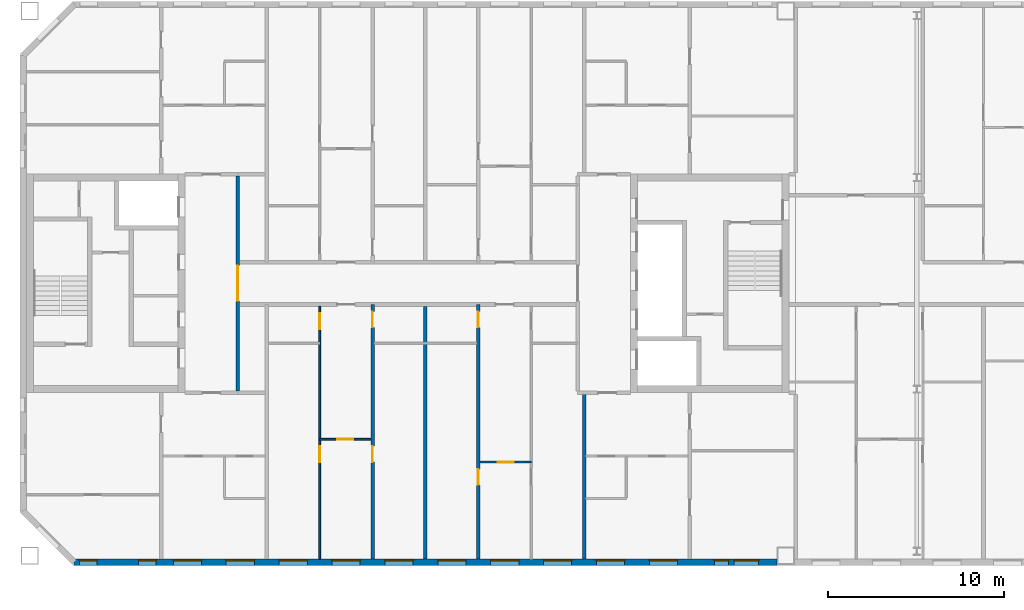
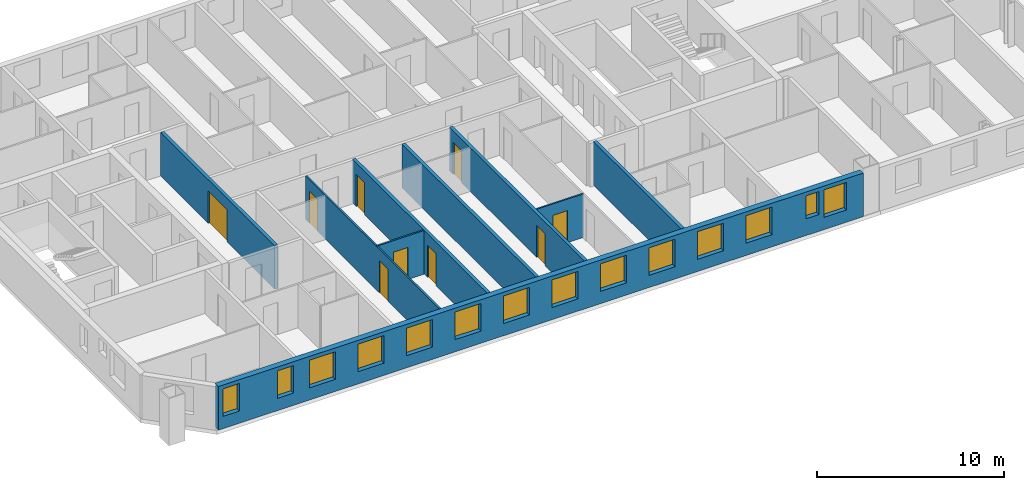
# One storey, part 5 of 19: 14 windows, 9 doors, 9 walls, 23 openings.
"""IFC4 building model written with IfcOpenShell, lengths in metres."""

from ifc_helpers import new_model, si_unit, direction, frame, frame_2d, origin, place, context, subcontext, project, spatial, rectangle, extrude, material, layer, layer_set, type_object, element, fill, save


model = new_model("IFC4")

# Units and contexts
model_context = context("Model", 3, precision=1e-05, world=origin(), true_north=direction((0.0, 1.0)))
body_context = subcontext(model_context, "Body", "Model", "MODEL_VIEW")
ifc_project = project(units=[si_unit("LENGTHUNIT", "METRE"), si_unit("AREAUNIT", "SQUARE_METRE"), si_unit("VOLUMEUNIT", "CUBIC_METRE"), si_unit("PLANEANGLEUNIT", "RADIAN"), si_unit("MASSUNIT", "GRAM", prefix="KILO")], contexts=[model_context])

# Site, building, storey
site_placement = place(None, origin())
site = spatial("IfcSite", under=ifc_project, at=site_placement, CompositionType="ELEMENT")
building_placement = place(site_placement, origin())
building = spatial("IfcBuilding", under=site, at=building_placement, Name="Tuart Gate Housing", CompositionType="ELEMENT")
storey_placement = place(building_placement, frame((0.0, 0.0, 209.0)))
storey = spatial("IfcBuildingStorey", under=building, at=storey_placement, Name="L59", CompositionType="ELEMENT", Elevation=209.0)

# Wall, openings, windows
ifc_material_1 = material(Name="Brick", Category="masonry")
ifc_layer_1 = layer(ifc_material_1, 0.360107421875)
ifc_layer_set_1 = layer_set([ifc_layer_1], Name="Brick pier and spandrel wall 360")
wall_type_1 = type_object("IfcWallType", Name="Brick pier and spandrel wall 360", PredefinedType="STANDARD", material=ifc_layer_set_1)
wall_1_placement = place(storey_placement, frame((35.07470703125, 54.179931640625, 0.0), z_axis=(0.0, 0.0, 1.0), x_axis=(1.0, 0.0, 0.0)))
wall_1 = element("IfcWall", 1, at=wall_1_placement, inside=storey, type_object=wall_type_1, Name="External wall BLK-S L59", PredefinedType="STANDARD", context=body_context, shape_type="SweptSolid", body=[
    extrude(rectangle(XDim=39.875244140625, YDim=0.360107421875, at=frame_2d((19.9375, 0.0))), origin(), (0.0, 0.0, 1.0), 2.85009765625),
])
opening_1_placement = place(wall_1_placement, frame((0.300048828125, 0.0, 0.800048828125)))
opening_1 = element("IfcOpeningElement", 2, at=opening_1_placement, cuts=wall_1, Name="Opening W1C", PredefinedType="OPENING", context=body_context, shape_type="SweptSolid", body=[
    extrude(rectangle(XDim=1.0, YDim=1.800048828125, at=frame_2d((0.5, 0.89990234375))), frame((0.0, 0.18994140625, 0.0), z_axis=(0.0, -1.0, 0.0), x_axis=(1.0, 0.0, 0.0)), (0.0, 0.0, 1.0), 0.380126953125),
])
opening_2_placement = place(wall_1_placement, frame((5.62548828125, 0.0, 0.800048828125)))
opening_2 = element("IfcOpeningElement", 3, at=opening_2_placement, cuts=wall_1, Name="Opening W1", PredefinedType="OPENING", context=body_context, shape_type="SweptSolid", body=[
    extrude(rectangle(XDim=1.60009765625, YDim=1.800048828125, at=frame_2d((0.800048828125, 0.89990234375))), frame((0.0, 0.18994140625, 0.0), z_axis=(0.0, -1.0, 0.0), x_axis=(1.0, 0.0, 0.0)), (0.0, 0.0, 1.0), 0.380126953125),
])
opening_3_placement = place(wall_1_placement, frame((8.62548828125, 0.0, 0.800048828125)))
opening_3 = element("IfcOpeningElement", 4, at=opening_3_placement, cuts=wall_1, Name="Opening W1", PredefinedType="OPENING", context=body_context, shape_type="SweptSolid", body=[
    extrude(rectangle(XDim=1.60009765625, YDim=1.800048828125, at=frame_2d((0.800048828125, 0.89990234375))), frame((0.0, 0.18994140625, 0.0), z_axis=(0.0, -1.0, 0.0), x_axis=(1.0, 0.0, 0.0)), (0.0, 0.0, 1.0), 0.380126953125),
])
opening_4_placement = place(wall_1_placement, frame((11.62548828125, 0.0, 0.800048828125)))
opening_4 = element("IfcOpeningElement", 5, at=opening_4_placement, cuts=wall_1, Name="Opening W1", PredefinedType="OPENING", context=body_context, shape_type="SweptSolid", body=[
    extrude(rectangle(XDim=1.60009765625, YDim=1.800048828125, at=frame_2d((0.800048828125, 0.89990234375))), frame((0.0, 0.18994140625, 0.0), z_axis=(0.0, -1.0, 0.0), x_axis=(1.0, 0.0, 0.0)), (0.0, 0.0, 1.0), 0.380126953125),
])
opening_5_placement = place(wall_1_placement, frame((14.62548828125, 0.0, 0.800048828125)))
opening_5 = element("IfcOpeningElement", 6, at=opening_5_placement, cuts=wall_1, Name="Opening W1", PredefinedType="OPENING", context=body_context, shape_type="SweptSolid", body=[
    extrude(rectangle(XDim=1.60009765625, YDim=1.800048828125, at=frame_2d((0.800048828125, 0.89990234375))), frame((0.0, 0.18994140625, 0.0), z_axis=(0.0, -1.0, 0.0), x_axis=(1.0, 0.0, 0.0)), (0.0, 0.0, 1.0), 0.380126953125),
])
opening_6_placement = place(wall_1_placement, frame((17.62548828125, 0.0, 0.800048828125)))
opening_6 = element("IfcOpeningElement", 7, at=opening_6_placement, cuts=wall_1, Name="Opening W1", PredefinedType="OPENING", context=body_context, shape_type="SweptSolid", body=[
    extrude(rectangle(XDim=1.60009765625, YDim=1.800048828125, at=frame_2d((0.800048828125, 0.89990234375))), frame((0.0, 0.18994140625, 0.0), z_axis=(0.0, -1.0, 0.0), x_axis=(1.0, 0.0, 0.0)), (0.0, 0.0, 1.0), 0.380126953125),
])
opening_7_placement = place(wall_1_placement, frame((20.62548828125, 0.0, 0.800048828125)))
opening_7 = element("IfcOpeningElement", 8, at=opening_7_placement, cuts=wall_1, Name="Opening W1", PredefinedType="OPENING", context=body_context, shape_type="SweptSolid", body=[
    extrude(rectangle(XDim=1.60009765625, YDim=1.800048828125, at=frame_2d((0.800048828125, 0.89990234375))), frame((0.0, 0.18994140625, 0.0), z_axis=(0.0, -1.0, 0.0), x_axis=(1.0, 0.0, 0.0)), (0.0, 0.0, 1.0), 0.380126953125),
])
opening_8_placement = place(wall_1_placement, frame((23.62548828125, 0.0, 0.800048828125)))
opening_8 = element("IfcOpeningElement", 9, at=opening_8_placement, cuts=wall_1, Name="Opening W1", PredefinedType="OPENING", context=body_context, shape_type="SweptSolid", body=[
    extrude(rectangle(XDim=1.60009765625, YDim=1.800048828125, at=frame_2d((0.800048828125, 0.89990234375))), frame((0.0, 0.18994140625, 0.0), z_axis=(0.0, -1.0, 0.0), x_axis=(1.0, 0.0, 0.0)), (0.0, 0.0, 1.0), 0.380126953125),
])
opening_9_placement = place(wall_1_placement, frame((26.62548828125, 0.0, 0.800048828125)))
opening_9 = element("IfcOpeningElement", 10, at=opening_9_placement, cuts=wall_1, Name="Opening W1", PredefinedType="OPENING", context=body_context, shape_type="SweptSolid", body=[
    extrude(rectangle(XDim=1.60009765625, YDim=1.800048828125, at=frame_2d((0.800048828125, 0.89990234375))), frame((0.0, 0.18994140625, 0.0), z_axis=(0.0, -1.0, 0.0), x_axis=(1.0, 0.0, 0.0)), (0.0, 0.0, 1.0), 0.380126953125),
])
opening_10_placement = place(wall_1_placement, frame((29.62548828125, 0.0, 0.800048828125)))
opening_10 = element("IfcOpeningElement", 11, at=opening_10_placement, cuts=wall_1, Name="Opening W1", PredefinedType="OPENING", context=body_context, shape_type="SweptSolid", body=[
    extrude(rectangle(XDim=1.60009765625, YDim=1.800048828125, at=frame_2d((0.800048828125, 0.89990234375))), frame((0.0, 0.18994140625, 0.0), z_axis=(0.0, -1.0, 0.0), x_axis=(1.0, 0.0, 0.0)), (0.0, 0.0, 1.0), 0.380126953125),
])
opening_11_placement = place(wall_1_placement, frame((32.62548828125, 0.0, 0.800048828125)))
opening_11 = element("IfcOpeningElement", 12, at=opening_11_placement, cuts=wall_1, Name="Opening W1", PredefinedType="OPENING", context=body_context, shape_type="SweptSolid", body=[
    extrude(rectangle(XDim=1.60009765625, YDim=1.800048828125, at=frame_2d((0.800048828125, 0.89990234375))), frame((0.0, 0.18994140625, 0.0), z_axis=(0.0, -1.0, 0.0), x_axis=(1.0, 0.0, 0.0)), (0.0, 0.0, 1.0), 0.380126953125),
])
opening_12_placement = place(wall_1_placement, frame((36.325439453125, 0.0, 1.10009765625)))
opening_12 = element("IfcOpeningElement", 13, at=opening_12_placement, cuts=wall_1, Name="Opening W1J", PredefinedType="OPENING", context=body_context, shape_type="SweptSolid", body=[
    extrude(rectangle(XDim=0.800048828125, YDim=1.5, at=frame_2d((0.39990234375, 0.75))), frame((0.0, 0.18994140625, 0.0), z_axis=(0.0, -1.0, 0.0), x_axis=(1.0, 0.0, 0.0)), (0.0, 0.0, 1.0), 0.380126953125),
])
opening_13_placement = place(wall_1_placement, frame((3.64990234375, 0.0, 0.800048828125)))
opening_13 = element("IfcOpeningElement", 14, at=opening_13_placement, cuts=wall_1, Name="Opening W1C", PredefinedType="OPENING", context=body_context, shape_type="SweptSolid", body=[
    extrude(rectangle(XDim=1.0, YDim=1.800048828125, at=frame_2d((0.5, 0.89990234375))), frame((0.0, 0.18994140625, 0.0), z_axis=(0.0, -1.0, 0.0), x_axis=(1.0, 0.0, 0.0)), (0.0, 0.0, 1.0), 0.380126953125),
])
opening_14_placement = place(wall_1_placement, frame((37.42529296875, 0.0, 0.800048828125)))
opening_14 = element("IfcOpeningElement", 15, at=opening_14_placement, cuts=wall_1, Name="Opening W1A", PredefinedType="OPENING", context=body_context, shape_type="SweptSolid", body=[
    extrude(rectangle(XDim=1.39990234375, YDim=1.800048828125, at=frame_2d((0.699951171875, 0.89990234375))), frame((0.0, 0.18994140625, 0.0), z_axis=(0.0, -1.0, 0.0), x_axis=(1.0, 0.0, 0.0)), (0.0, 0.0, 1.0), 0.380126953125),
])
ifc_material_2 = material(Name="Aluminium frame with clear glass", Category="aluminium")
window_type_1 = type_object("IfcWindowType", Name="Punched window 1000 x 1800", PartitioningType="SINGLE_PANEL", PredefinedType="WINDOW", material=ifc_material_2)
window_1_placement = place(opening_1_placement, origin())
window_1 = element("IfcWindow", 16, at=window_1_placement, inside=storey, type_object=window_type_1, Name="Window W1C", OverallHeight=1.800048828125, OverallWidth=1.0, PartitioningType="SINGLE_PANEL", PredefinedType="WINDOW", context=body_context, shape_type="SweptSolid", body=[
    extrude(rectangle(XDim=1.0, YDim=1.800048828125, at=frame_2d((0.5, 0.89990234375))), frame((0.0, 0.150146484375, 0.0), z_axis=(0.0, -1.0, 0.0), x_axis=(1.0, 0.0, 0.0)), (0.0, 0.0, 1.0), 0.06005859375),
])
fill(opening_1, window_1)
window_2_placement = place(opening_13_placement, origin())
window_2 = element("IfcWindow", 17, at=window_2_placement, inside=storey, type_object=window_type_1, Name="Window W1C", OverallHeight=1.800048828125, OverallWidth=1.0, PartitioningType="SINGLE_PANEL", PredefinedType="WINDOW", context=body_context, shape_type="SweptSolid", body=[
    extrude(rectangle(XDim=1.0, YDim=1.800048828125, at=frame_2d((0.5, 0.89990234375))), frame((0.0, 0.150146484375, 0.0), z_axis=(0.0, -1.0, 0.0), x_axis=(1.0, 0.0, 0.0)), (0.0, 0.0, 1.0), 0.06005859375),
])
fill(opening_13, window_2)
ifc_material_3 = material(Name="Aluminium frame with clear glass", Category="aluminium")
window_type_2 = type_object("IfcWindowType", Name="Punched window 1400 x 1800", PartitioningType="SINGLE_PANEL", PredefinedType="WINDOW", material=ifc_material_3)
window_3_placement = place(opening_14_placement, origin())
window_3 = element("IfcWindow", 18, at=window_3_placement, inside=storey, type_object=window_type_2, Name="Window W1A", OverallHeight=1.800048828125, OverallWidth=1.39990234375, PartitioningType="SINGLE_PANEL", PredefinedType="WINDOW", context=body_context, shape_type="SweptSolid", body=[
    extrude(rectangle(XDim=1.39990234375, YDim=1.800048828125, at=frame_2d((0.699951171875, 0.89990234375))), frame((0.0, 0.150146484375, 0.0), z_axis=(0.0, -1.0, 0.0), x_axis=(1.0, 0.0, 0.0)), (0.0, 0.0, 1.0), 0.06005859375),
])
fill(opening_14, window_3)
ifc_material_4 = material(Name="Aluminium frame with clear glass", Category="aluminium")
window_type_3 = type_object("IfcWindowType", Name="Punched window 1600 x 1800", PartitioningType="SINGLE_PANEL", PredefinedType="WINDOW", material=ifc_material_4)
window_4_placement = place(opening_2_placement, origin())
window_4 = element("IfcWindow", 19, at=window_4_placement, inside=storey, type_object=window_type_3, Name="Window W1", OverallHeight=1.800048828125, OverallWidth=1.60009765625, PartitioningType="SINGLE_PANEL", PredefinedType="WINDOW", context=body_context, shape_type="SweptSolid", body=[
    extrude(rectangle(XDim=1.60009765625, YDim=1.800048828125, at=frame_2d((0.800048828125, 0.89990234375))), frame((0.0, 0.150146484375, 0.0), z_axis=(0.0, -1.0, 0.0), x_axis=(1.0, 0.0, 0.0)), (0.0, 0.0, 1.0), 0.06005859375),
])
fill(opening_2, window_4)
window_5_placement = place(opening_3_placement, origin())
window_5 = element("IfcWindow", 20, at=window_5_placement, inside=storey, type_object=window_type_3, Name="Window W1", OverallHeight=1.800048828125, OverallWidth=1.60009765625, PartitioningType="SINGLE_PANEL", PredefinedType="WINDOW", context=body_context, shape_type="SweptSolid", body=[
    extrude(rectangle(XDim=1.60009765625, YDim=1.800048828125, at=frame_2d((0.800048828125, 0.89990234375))), frame((0.0, 0.150146484375, 0.0), z_axis=(0.0, -1.0, 0.0), x_axis=(1.0, 0.0, 0.0)), (0.0, 0.0, 1.0), 0.06005859375),
])
fill(opening_3, window_5)
window_6_placement = place(opening_4_placement, origin())
window_6 = element("IfcWindow", 21, at=window_6_placement, inside=storey, type_object=window_type_3, Name="Window W1", OverallHeight=1.800048828125, OverallWidth=1.60009765625, PartitioningType="SINGLE_PANEL", PredefinedType="WINDOW", context=body_context, shape_type="SweptSolid", body=[
    extrude(rectangle(XDim=1.60009765625, YDim=1.800048828125, at=frame_2d((0.800048828125, 0.89990234375))), frame((0.0, 0.150146484375, 0.0), z_axis=(0.0, -1.0, 0.0), x_axis=(1.0, 0.0, 0.0)), (0.0, 0.0, 1.0), 0.06005859375),
])
fill(opening_4, window_6)
window_7_placement = place(opening_5_placement, origin())
window_7 = element("IfcWindow", 22, at=window_7_placement, inside=storey, type_object=window_type_3, Name="Window W1", OverallHeight=1.800048828125, OverallWidth=1.60009765625, PartitioningType="SINGLE_PANEL", PredefinedType="WINDOW", context=body_context, shape_type="SweptSolid", body=[
    extrude(rectangle(XDim=1.60009765625, YDim=1.800048828125, at=frame_2d((0.800048828125, 0.89990234375))), frame((0.0, 0.150146484375, 0.0), z_axis=(0.0, -1.0, 0.0), x_axis=(1.0, 0.0, 0.0)), (0.0, 0.0, 1.0), 0.06005859375),
])
fill(opening_5, window_7)
window_8_placement = place(opening_6_placement, origin())
window_8 = element("IfcWindow", 23, at=window_8_placement, inside=storey, type_object=window_type_3, Name="Window W1", OverallHeight=1.800048828125, OverallWidth=1.60009765625, PartitioningType="SINGLE_PANEL", PredefinedType="WINDOW", context=body_context, shape_type="SweptSolid", body=[
    extrude(rectangle(XDim=1.60009765625, YDim=1.800048828125, at=frame_2d((0.800048828125, 0.89990234375))), frame((0.0, 0.150146484375, 0.0), z_axis=(0.0, -1.0, 0.0), x_axis=(1.0, 0.0, 0.0)), (0.0, 0.0, 1.0), 0.06005859375),
])
fill(opening_6, window_8)
window_9_placement = place(opening_7_placement, origin())
window_9 = element("IfcWindow", 24, at=window_9_placement, inside=storey, type_object=window_type_3, Name="Window W1", OverallHeight=1.800048828125, OverallWidth=1.60009765625, PartitioningType="SINGLE_PANEL", PredefinedType="WINDOW", context=body_context, shape_type="SweptSolid", body=[
    extrude(rectangle(XDim=1.60009765625, YDim=1.800048828125, at=frame_2d((0.800048828125, 0.89990234375))), frame((0.0, 0.150146484375, 0.0), z_axis=(0.0, -1.0, 0.0), x_axis=(1.0, 0.0, 0.0)), (0.0, 0.0, 1.0), 0.06005859375),
])
fill(opening_7, window_9)
window_10_placement = place(opening_8_placement, origin())
window_10 = element("IfcWindow", 25, at=window_10_placement, inside=storey, type_object=window_type_3, Name="Window W1", OverallHeight=1.800048828125, OverallWidth=1.60009765625, PartitioningType="SINGLE_PANEL", PredefinedType="WINDOW", context=body_context, shape_type="SweptSolid", body=[
    extrude(rectangle(XDim=1.60009765625, YDim=1.800048828125, at=frame_2d((0.800048828125, 0.89990234375))), frame((0.0, 0.150146484375, 0.0), z_axis=(0.0, -1.0, 0.0), x_axis=(1.0, 0.0, 0.0)), (0.0, 0.0, 1.0), 0.06005859375),
])
fill(opening_8, window_10)
window_11_placement = place(opening_9_placement, origin())
window_11 = element("IfcWindow", 26, at=window_11_placement, inside=storey, type_object=window_type_3, Name="Window W1", OverallHeight=1.800048828125, OverallWidth=1.60009765625, PartitioningType="SINGLE_PANEL", PredefinedType="WINDOW", context=body_context, shape_type="SweptSolid", body=[
    extrude(rectangle(XDim=1.60009765625, YDim=1.800048828125, at=frame_2d((0.800048828125, 0.89990234375))), frame((0.0, 0.150146484375, 0.0), z_axis=(0.0, -1.0, 0.0), x_axis=(1.0, 0.0, 0.0)), (0.0, 0.0, 1.0), 0.06005859375),
])
fill(opening_9, window_11)
window_12_placement = place(opening_10_placement, origin())
window_12 = element("IfcWindow", 27, at=window_12_placement, inside=storey, type_object=window_type_3, Name="Window W1", OverallHeight=1.800048828125, OverallWidth=1.60009765625, PartitioningType="SINGLE_PANEL", PredefinedType="WINDOW", context=body_context, shape_type="SweptSolid", body=[
    extrude(rectangle(XDim=1.60009765625, YDim=1.800048828125, at=frame_2d((0.800048828125, 0.89990234375))), frame((0.0, 0.150146484375, 0.0), z_axis=(0.0, -1.0, 0.0), x_axis=(1.0, 0.0, 0.0)), (0.0, 0.0, 1.0), 0.06005859375),
])
fill(opening_10, window_12)
window_13_placement = place(opening_11_placement, origin())
window_13 = element("IfcWindow", 28, at=window_13_placement, inside=storey, type_object=window_type_3, Name="Window W1", OverallHeight=1.800048828125, OverallWidth=1.60009765625, PartitioningType="SINGLE_PANEL", PredefinedType="WINDOW", context=body_context, shape_type="SweptSolid", body=[
    extrude(rectangle(XDim=1.60009765625, YDim=1.800048828125, at=frame_2d((0.800048828125, 0.89990234375))), frame((0.0, 0.150146484375, 0.0), z_axis=(0.0, -1.0, 0.0), x_axis=(1.0, 0.0, 0.0)), (0.0, 0.0, 1.0), 0.06005859375),
])
fill(opening_11, window_13)
ifc_material_5 = material(Name="Aluminium frame with clear glass", Category="aluminium")
window_type_4 = type_object("IfcWindowType", Name="Punched window 800 x 1500", PartitioningType="SINGLE_PANEL", PredefinedType="WINDOW", material=ifc_material_5)
window_14_placement = place(opening_12_placement, origin())
window_14 = element("IfcWindow", 29, at=window_14_placement, inside=storey, type_object=window_type_4, Name="Window W1J", OverallHeight=1.5, OverallWidth=0.800048828125, PartitioningType="SINGLE_PANEL", PredefinedType="WINDOW", context=body_context, shape_type="SweptSolid", body=[
    extrude(rectangle(XDim=0.800048828125, YDim=1.5, at=frame_2d((0.39990234375, 0.75))), frame((0.0, 0.150146484375, 0.0), z_axis=(0.0, -1.0, 0.0), x_axis=(1.0, 0.0, 0.0)), (0.0, 0.0, 1.0), 0.06005859375),
])
fill(opening_12, window_14)

# Wall, opening, door
ifc_material_6 = material(Name="Plasterboard partition")
ifc_layer_2 = layer(ifc_material_6, 0.199951171875)
ifc_layer_set_2 = layer_set([ifc_layer_2], Name="Lobby wall 200")
wall_type_2 = type_object("IfcWallType", Name="Lobby wall 200", PredefinedType="PARTITIONING", material=ifc_layer_set_2)
wall_2_placement = place(storey_placement, frame((44.360107421875, 63.89990234375, 0.0), z_axis=(0.0, 0.0, 1.0), x_axis=(0.0, 1.0, 0.0)))
wall_2 = element("IfcWall", 30, at=wall_2_placement, inside=storey, type_object=wall_type_2, Name="Lift lobby wall AK", PredefinedType="PARTITIONING", context=body_context, shape_type="SweptSolid", body=[
    extrude(rectangle(XDim=12.2001953125, YDim=0.199951171875, at=frame_2d((6.10009765625, 0.0))), origin(), (0.0, 0.0, 1.0), 2.85009765625),
])
opening_15_placement = place(wall_2_placement, frame((5.10009765625, 0.0, 0.0)))
opening_15 = element("IfcOpeningElement", 31, at=opening_15_placement, cuts=wall_2, Name="Opening D2138", PredefinedType="OPENING", context=body_context, shape_type="SweptSolid", body=[
    extrude(rectangle(XDim=2.0, YDim=2.10009765625, at=frame_2d((1.0, 1.050048828125))), frame((0.0, 0.10986328125, 0.0), z_axis=(0.0, -1.0, 0.0), x_axis=(1.0, 0.0, 0.0)), (0.0, 0.0, 1.0), 0.219970703125),
])
ifc_material_7 = material(Name="Steel fire door", Category="steel")
door_type_1 = type_object("IfcDoorType", Name="Smoke door 2000 x 2100", OperationType="DOUBLE_DOOR_SINGLE_SWING", PredefinedType="DOOR", material=ifc_material_7)
door_1_placement = place(opening_15_placement, origin())
door_1 = element("IfcDoor", 32, at=door_1_placement, inside=storey, type_object=door_type_1, Name="Lift lobby smoke door AK", OperationType="DOUBLE_DOOR_SINGLE_SWING", OverallHeight=2.10009765625, OverallWidth=2.0, PredefinedType="DOOR", context=body_context, shape_type="SweptSolid", body=[
    extrude(rectangle(XDim=2.0, YDim=2.10009765625, at=frame_2d((1.0, 1.050048828125))), frame((0.0, 0.02490234375, 0.0), z_axis=(0.0, -1.0, 0.0), x_axis=(1.0, 0.0, 0.0)), (0.0, 0.0, 1.0), 0.050048828125),
])
fill(opening_15, door_1)

ifc_material_8 = material(Name="Gypsum board on steel studs", Category="steel")
ifc_layer_3 = layer(ifc_material_8, 0.10009765625)
ifc_layer_set_3 = layer_set([ifc_layer_3], Name="Partition 100")
wall_type_3 = type_object("IfcWallType", Name="Partition 100", PredefinedType="PARTITIONING", material=ifc_layer_set_3)
wall_3_placement = place(storey_placement, frame((58.10009765625, 59.860107421875, 0.0), z_axis=(0.0, 0.0, 1.0), x_axis=(1.0, 0.0, 0.0)))
wall_3 = element("IfcWall", 33, at=wall_3_placement, inside=storey, type_object=wall_type_3, Name="Partition 100", PredefinedType="PARTITIONING", context=body_context, shape_type="SweptSolid", body=[
    extrude(rectangle(XDim=2.89990234375, YDim=0.10009765625, at=frame_2d((1.449951171875, 0.0))), origin(), (0.0, 0.0, 1.0), 2.85009765625),
])
opening_16_placement = place(wall_3_placement, frame((1.0, 0.0, 0.0)))
opening_16 = element("IfcOpeningElement", 34, at=opening_16_placement, cuts=wall_3, Name="Opening D2161", PredefinedType="OPENING", context=body_context, shape_type="SweptSolid", body=[
    extrude(rectangle(XDim=0.89990234375, YDim=2.10009765625, at=frame_2d((0.449951171875, 1.050048828125))), frame((0.0, 0.06005859375, 0.0), z_axis=(0.0, -1.0, 0.0), x_axis=(1.0, 0.0, 0.0)), (0.0, 0.0, 1.0), 0.1201171875),
])
ifc_material_9 = material(Name="Timber door leaf in steel frame", Category="steel")
door_type_2 = type_object("IfcDoorType", Name="Internal door 900 RH", OperationType="SINGLE_SWING_RIGHT", PredefinedType="DOOR", material=ifc_material_9)
door_2_placement = place(opening_16_placement, origin())
door_2 = element("IfcDoor", 35, at=door_2_placement, inside=storey, type_object=door_type_2, Name="Internal door", OperationType="SINGLE_SWING_RIGHT", OverallHeight=2.10009765625, OverallWidth=0.89990234375, PredefinedType="DOOR", context=body_context, shape_type="SweptSolid", body=[
    extrude(rectangle(XDim=0.89990234375, YDim=2.10009765625, at=frame_2d((0.449951171875, 1.050048828125))), frame((0.0, 0.02490234375, 0.0), z_axis=(0.0, -1.0, 0.0), x_axis=(1.0, 0.0, 0.0)), (0.0, 0.0, 1.0), 0.050048828125),
])
fill(opening_16, door_2)

wall_4_placement = place(storey_placement, frame((49.0, 61.159912109375, 0.0), z_axis=(0.0, 0.0, 1.0), x_axis=(1.0, 0.0, 0.0)))
wall_4 = element("IfcWall", 36, at=wall_4_placement, inside=storey, type_object=wall_type_3, Name="Partition 100", PredefinedType="PARTITIONING", context=body_context, shape_type="SweptSolid", body=[
    extrude(rectangle(XDim=2.89990234375, YDim=0.10009765625, at=frame_2d((1.449951171875, 0.0))), origin(), (0.0, 0.0, 1.0), 2.85009765625),
])
opening_17_placement = place(wall_4_placement, frame((1.0, 0.0, 0.0)))
opening_17 = element("IfcOpeningElement", 37, at=opening_17_placement, cuts=wall_4, Name="Opening D2156", PredefinedType="OPENING", context=body_context, shape_type="SweptSolid", body=[
    extrude(rectangle(XDim=0.89990234375, YDim=2.10009765625, at=frame_2d((0.449951171875, 1.050048828125))), frame((0.0, 0.06005859375, 0.0), z_axis=(0.0, -1.0, 0.0), x_axis=(1.0, 0.0, 0.0)), (0.0, 0.0, 1.0), 0.1201171875),
])
ifc_material_10 = material(Name="Timber door leaf in steel frame", Category="steel")
door_type_3 = type_object("IfcDoorType", Name="Internal door 900", OperationType="SINGLE_SWING_LEFT", PredefinedType="DOOR", material=ifc_material_10)
door_3_placement = place(opening_17_placement, origin())
door_3 = element("IfcDoor", 38, at=door_3_placement, inside=storey, type_object=door_type_3, Name="Internal door", OperationType="SINGLE_SWING_LEFT", OverallHeight=2.10009765625, OverallWidth=0.89990234375, PredefinedType="DOOR", context=body_context, shape_type="SweptSolid", body=[
    extrude(rectangle(XDim=0.89990234375, YDim=2.10009765625, at=frame_2d((0.449951171875, 1.050048828125))), frame((0.0, 0.02490234375, 0.0), z_axis=(0.0, -1.0, 0.0), x_axis=(1.0, 0.0, 0.0)), (0.0, 0.0, 1.0), 0.050048828125),
])
fill(opening_17, door_3)

# Wall, openings, doors
wall_5_placement = place(storey_placement, frame((49.0, 54.360107421875, 0.0), z_axis=(0.0, 0.0, 1.0), x_axis=(0.0, 1.0, 0.0)))
wall_5 = element("IfcWall", 39, at=wall_5_placement, inside=storey, type_object=wall_type_3, Name="Partition 100", PredefinedType="PARTITIONING", context=body_context, shape_type="SweptSolid", body=[
    extrude(rectangle(XDim=14.33984375, YDim=0.10009765625, at=frame_2d((7.169921875, 0.0))), origin(), (0.0, 0.0, 1.0), 2.85009765625),
])
opening_18_placement = place(wall_5_placement, frame((5.5, 0.0, 0.0)))
opening_18 = element("IfcOpeningElement", 40, at=opening_18_placement, cuts=wall_5, Name="Opening D2153", PredefinedType="OPENING", context=body_context, shape_type="SweptSolid", body=[
    extrude(rectangle(XDim=0.89990234375, YDim=2.10009765625, at=frame_2d((0.449951171875, 1.050048828125))), frame((0.0, 0.06005859375, 0.0), z_axis=(0.0, -1.0, 0.0), x_axis=(1.0, 0.0, 0.0)), (0.0, 0.0, 1.0), 0.1201171875),
])
opening_19_placement = place(wall_5_placement, frame((13.0400390625, 0.0, 0.0)))
opening_19 = element("IfcOpeningElement", 41, at=opening_19_placement, cuts=wall_5, Name="Opening D2152", PredefinedType="OPENING", context=body_context, shape_type="SweptSolid", body=[
    extrude(rectangle(XDim=0.89990234375, YDim=2.10009765625, at=frame_2d((0.449951171875, 1.050048828125))), frame((0.0, 0.06005859375, 0.0), z_axis=(0.0, -1.0, 0.0), x_axis=(1.0, 0.0, 0.0)), (0.0, 0.0, 1.0), 0.1201171875),
])
ifc_material_11 = material(Name="Timber door leaf in steel frame", Category="steel")
door_type_4 = type_object("IfcDoorType", Name="Bathroom door 900 RH", OperationType="SINGLE_SWING_RIGHT", PredefinedType="DOOR", material=ifc_material_11)
door_4_placement = place(opening_19_placement, origin())
door_4 = element("IfcDoor", 42, at=door_4_placement, inside=storey, type_object=door_type_4, Name="Bathroom door", OperationType="SINGLE_SWING_RIGHT", OverallHeight=2.10009765625, OverallWidth=0.89990234375, PredefinedType="DOOR", context=body_context, shape_type="SweptSolid", body=[
    extrude(rectangle(XDim=0.89990234375, YDim=2.10009765625, at=frame_2d((0.449951171875, 1.050048828125))), frame((0.0, 0.02490234375, 0.0), z_axis=(0.0, -1.0, 0.0), x_axis=(1.0, 0.0, 0.0)), (0.0, 0.0, 1.0), 0.050048828125),
])
fill(opening_19, door_4)
door_5_placement = place(opening_18_placement, origin())
door_5 = element("IfcDoor", 43, at=door_5_placement, inside=storey, type_object=door_type_3, Name="Internal door", OperationType="SINGLE_SWING_LEFT", OverallHeight=2.10009765625, OverallWidth=0.89990234375, PredefinedType="DOOR", context=body_context, shape_type="SweptSolid", body=[
    extrude(rectangle(XDim=0.89990234375, YDim=2.10009765625, at=frame_2d((0.449951171875, 1.050048828125))), frame((0.0, 0.02490234375, 0.0), z_axis=(0.0, -1.0, 0.0), x_axis=(1.0, 0.0, 0.0)), (0.0, 0.0, 1.0), 0.050048828125),
])
fill(opening_18, door_5)

ifc_material_12 = material(Name="Concrete C40", Category="concrete")
ifc_layer_4 = layer(ifc_material_12, 0.199951171875)
ifc_layer_set_4 = layer_set([ifc_layer_4], Name="Party wall concrete C40 200")
wall_type_4 = type_object("IfcWallType", Name="Party wall concrete C40 200", PredefinedType="SOLIDWALL", material=ifc_layer_set_4)
wall_6_placement = place(storey_placement, frame((52.0, 54.360107421875, 0.0), z_axis=(0.0, 0.0, 1.0), x_axis=(0.0, 1.0, 0.0)))
wall_6 = element("IfcWall", 44, at=wall_6_placement, inside=storey, type_object=wall_type_4, Name="Party wall concrete C40 200", PredefinedType="SOLIDWALL", context=body_context, shape_type="SweptSolid", body=[
    extrude(rectangle(XDim=14.43994140625, YDim=0.199951171875, at=frame_2d((7.219970703125, 0.0))), origin(), (0.0, 0.0, 1.0), 2.85009765625),
])
opening_20_placement = place(wall_6_placement, frame((5.5, 0.0, 0.0)))
opening_20 = element("IfcOpeningElement", 45, at=opening_20_placement, cuts=wall_6, Name="Opening D2149", PredefinedType="OPENING", context=body_context, shape_type="SweptSolid", body=[
    extrude(rectangle(XDim=0.89990234375, YDim=2.10009765625, at=frame_2d((0.449951171875, 1.050048828125))), frame((0.0, 0.10986328125, 0.0), z_axis=(0.0, -1.0, 0.0), x_axis=(1.0, 0.0, 0.0)), (0.0, 0.0, 1.0), 0.219970703125),
])
opening_21_placement = place(wall_6_placement, frame((13.139892578125, 0.0, 0.0)))
opening_21 = element("IfcOpeningElement", 46, at=opening_21_placement, cuts=wall_6, Name="Opening D2148", PredefinedType="OPENING", context=body_context, shape_type="SweptSolid", body=[
    extrude(rectangle(XDim=0.89990234375, YDim=2.10009765625, at=frame_2d((0.449951171875, 1.050048828125))), frame((0.0, 0.10986328125, 0.0), z_axis=(0.0, -1.0, 0.0), x_axis=(1.0, 0.0, 0.0)), (0.0, 0.0, 1.0), 0.219970703125),
])
ifc_material_13 = material(Name="Timber door leaf in steel frame", Category="steel")
door_type_5 = type_object("IfcDoorType", Name="Bathroom door 900", OperationType="SINGLE_SWING_LEFT", PredefinedType="DOOR", material=ifc_material_13)
door_6_placement = place(opening_21_placement, frame((0.89990234375, 0.0, 0.0), z_axis=(0.0, 0.0, 1.0), x_axis=(-1.0, 0.0, 0.0)))
door_6 = element("IfcDoor", 47, at=door_6_placement, inside=storey, type_object=door_type_5, Name="Bathroom door", OperationType="SINGLE_SWING_LEFT", OverallHeight=2.10009765625, OverallWidth=0.89990234375, PredefinedType="DOOR", context=body_context, shape_type="SweptSolid", body=[
    extrude(rectangle(XDim=0.89990234375, YDim=2.10009765625, at=frame_2d((0.449951171875, 1.050048828125))), frame((0.0, 0.025146484375, 0.0), z_axis=(0.0, -1.0, 0.0), x_axis=(1.0, 0.0, 0.0)), (0.0, 0.0, 1.0), 0.050048828125),
])
fill(opening_21, door_6)
door_7_placement = place(opening_20_placement, frame((0.89990234375, 0.0, 0.0), z_axis=(0.0, 0.0, 1.0), x_axis=(-1.0, 0.0, 0.0)))
door_7 = element("IfcDoor", 48, at=door_7_placement, inside=storey, type_object=door_type_2, Name="Internal door", OperationType="SINGLE_SWING_RIGHT", OverallHeight=2.10009765625, OverallWidth=0.89990234375, PredefinedType="DOOR", context=body_context, shape_type="SweptSolid", body=[
    extrude(rectangle(XDim=0.89990234375, YDim=2.10009765625, at=frame_2d((0.449951171875, 1.050048828125))), frame((0.0, 0.025146484375, 0.0), z_axis=(0.0, -1.0, 0.0), x_axis=(1.0, 0.0, 0.0)), (0.0, 0.0, 1.0), 0.050048828125),
])
fill(opening_20, door_7)

wall_7_placement = place(storey_placement, frame((58.0, 54.360107421875, 0.0), z_axis=(0.0, 0.0, 1.0), x_axis=(0.0, 1.0, 0.0)))
wall_7 = element("IfcWall", 49, at=wall_7_placement, inside=storey, type_object=wall_type_4, Name="Party wall concrete C40 200", PredefinedType="SOLIDWALL", context=body_context, shape_type="SweptSolid", body=[
    extrude(rectangle(XDim=14.43994140625, YDim=0.199951171875, at=frame_2d((7.219970703125, 0.0))), origin(), (0.0, 0.0, 1.0), 2.85009765625),
])
opening_22_placement = place(wall_7_placement, frame((4.199951171875, 0.0, 0.0)))
opening_22 = element("IfcOpeningElement", 50, at=opening_22_placement, cuts=wall_7, Name="Opening D2151", PredefinedType="OPENING", context=body_context, shape_type="SweptSolid", body=[
    extrude(rectangle(XDim=0.89990234375, YDim=2.10009765625, at=frame_2d((0.449951171875, 1.050048828125))), frame((0.0, 0.10986328125, 0.0), z_axis=(0.0, -1.0, 0.0), x_axis=(1.0, 0.0, 0.0)), (0.0, 0.0, 1.0), 0.219970703125),
])
opening_23_placement = place(wall_7_placement, frame((13.139892578125, 0.0, 0.0)))
opening_23 = element("IfcOpeningElement", 51, at=opening_23_placement, cuts=wall_7, Name="Opening D2150", PredefinedType="OPENING", context=body_context, shape_type="SweptSolid", body=[
    extrude(rectangle(XDim=0.89990234375, YDim=2.10009765625, at=frame_2d((0.449951171875, 1.050048828125))), frame((0.0, 0.10986328125, 0.0), z_axis=(0.0, -1.0, 0.0), x_axis=(1.0, 0.0, 0.0)), (0.0, 0.0, 1.0), 0.219970703125),
])
door_8_placement = place(opening_23_placement, origin())
door_8 = element("IfcDoor", 52, at=door_8_placement, inside=storey, type_object=door_type_4, Name="Bathroom door", OperationType="SINGLE_SWING_RIGHT", OverallHeight=2.10009765625, OverallWidth=0.89990234375, PredefinedType="DOOR", context=body_context, shape_type="SweptSolid", body=[
    extrude(rectangle(XDim=0.89990234375, YDim=2.10009765625, at=frame_2d((0.449951171875, 1.050048828125))), frame((0.0, 0.02490234375, 0.0), z_axis=(0.0, -1.0, 0.0), x_axis=(1.0, 0.0, 0.0)), (0.0, 0.0, 1.0), 0.050048828125),
])
fill(opening_23, door_8)
door_9_placement = place(opening_22_placement, origin())
door_9 = element("IfcDoor", 53, at=door_9_placement, inside=storey, type_object=door_type_3, Name="Internal door", OperationType="SINGLE_SWING_LEFT", OverallHeight=2.10009765625, OverallWidth=0.89990234375, PredefinedType="DOOR", context=body_context, shape_type="SweptSolid", body=[
    extrude(rectangle(XDim=0.89990234375, YDim=2.10009765625, at=frame_2d((0.449951171875, 1.050048828125))), frame((0.0, 0.02490234375, 0.0), z_axis=(0.0, -1.0, 0.0), x_axis=(1.0, 0.0, 0.0)), (0.0, 0.0, 1.0), 0.050048828125),
])
fill(opening_22, door_9)

# Walls
wall_8_placement = place(storey_placement, frame((64.0, 54.360107421875, 0.0), z_axis=(0.0, 0.0, 1.0), x_axis=(0.0, 1.0, 0.0)))
element("IfcWall", 54, at=wall_8_placement, inside=storey, type_object=wall_type_4, Name="Party wall concrete C40 200", PredefinedType="SOLIDWALL", context=body_context, shape_type="SweptSolid", body=[
    extrude(rectangle(XDim=9.43994140625, YDim=0.199951171875, at=frame_2d((4.719970703125, 0.0))), origin(), (0.0, 0.0, 1.0), 2.85009765625),
])
ifc_material_14 = material(Name="Concrete masonry 15 MPa", Category="masonry")
ifc_layer_5 = layer(ifc_material_14, 0.199951171875)
ifc_layer_set_5 = layer_set([ifc_layer_5], Name="Party wall masonry 200")
wall_type_5 = type_object("IfcWallType", Name="Party wall masonry 200", PredefinedType="PARTITIONING", material=ifc_layer_set_5)
wall_9_placement = place(storey_placement, frame((55.0, 54.360107421875, 0.0), z_axis=(0.0, 0.0, 1.0), x_axis=(0.0, 1.0, 0.0)))
element("IfcWall", 55, at=wall_9_placement, inside=storey, type_object=wall_type_5, Name="Party wall masonry 200", PredefinedType="PARTITIONING", context=body_context, shape_type="SweptSolid", body=[
    extrude(rectangle(XDim=14.33984375, YDim=0.199951171875, at=frame_2d((7.169921875, 0.0))), origin(), (0.0, 0.0, 1.0), 2.85009765625),
])

save(model, "model.ifc")
